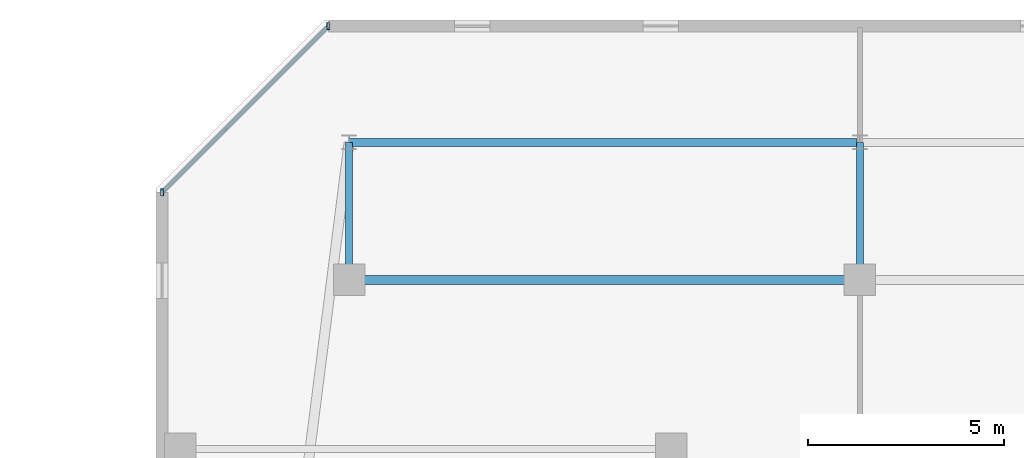
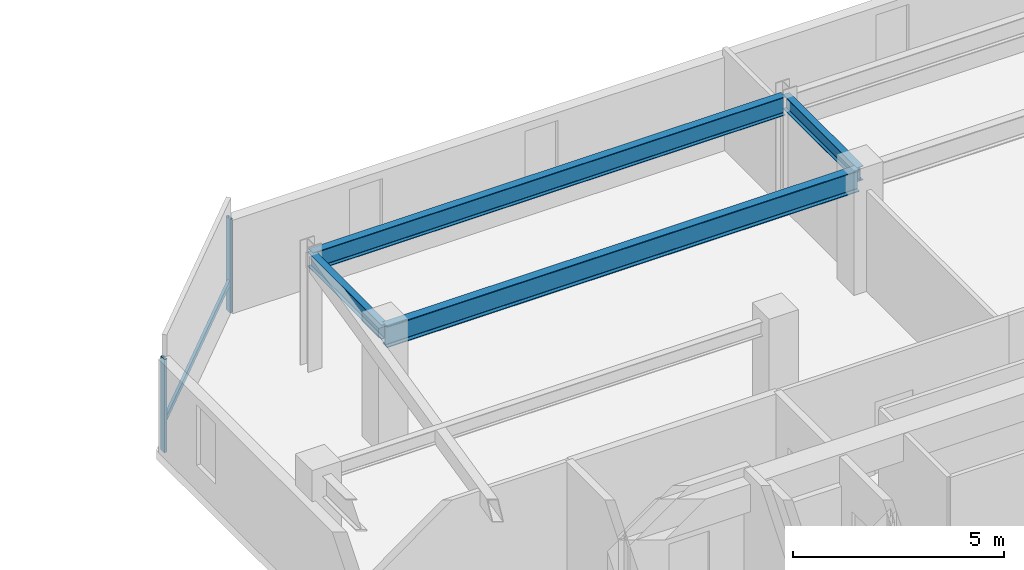
# One storey, part 14 of 31: 4 beams, 3 members, 1 element without a shape of its own.
"""IFC4 building model written with IfcOpenShell, lengths in metres."""

from ifc_helpers import new_model, si_unit, direction, frame, origin, origin_2d, place, context, subcontext, project, spatial, hollow_rectangle, i_section, extrude, material, material_profile, profile_set, type_object, element, aggregate, save


model = new_model("IFC4")

# Units and contexts
model_context = context("Model", 3, precision=1e-05, world=origin(), true_north=direction((0.0, 1.0)))
body_context = subcontext(model_context, "Body", "Model", "MODEL_VIEW")
ifc_project = project(units=[si_unit("LENGTHUNIT", "METRE"), si_unit("AREAUNIT", "SQUARE_METRE"), si_unit("VOLUMEUNIT", "CUBIC_METRE"), si_unit("PLANEANGLEUNIT", "RADIAN"), si_unit("MASSUNIT", "GRAM", prefix="KILO")], contexts=[model_context])

# Site, building, storey
site_placement = place(None, origin())
site = spatial("IfcSite", under=ifc_project, at=site_placement, CompositionType="ELEMENT")
building_placement = place(site_placement, origin())
building = spatial("IfcBuilding", under=site, at=building_placement, Name="Thornwick Lancets Civic Towers", CompositionType="ELEMENT")
storey_placement = place(building_placement, frame((0.0, 0.0, 254.699951171875)))
storey = spatial("IfcBuildingStorey", under=building, at=storey_placement, Name="L68", CompositionType="ELEMENT", Elevation=254.699951171875)

# Beams
ifc_material_1 = material(Name="Steel S355JR", Category="steel")
ifc_material_profile_1 = material_profile(ifc_material_1, i_section(OverallWidth=0.210693359375, OverallDepth=0.53955078125, WebThickness=0.01171875, FlangeThickness=0.018798828125, FilletRadius=0.0126953125, at=origin_2d()), Name="UKB 533x210x109")
ifc_profile_set_1 = profile_set([ifc_material_profile_1], Name="Steel S355JR")
beam_type_1 = type_object("IfcBeamType", Name="BM_EDGE_533_109", PredefinedType="SPANDREL", material=ifc_profile_set_1)
beam_1_placement = place(storey_placement, frame((88.419921875, 47.800048828125, 3.0703125), z_axis=(-1.0, 0.0, 0.0), x_axis=(0.0, -1.0, 0.0)))
element("IfcBeam", 1, at=beam_1_placement, inside=storey, type_object=beam_type_1, Name="BM-EDGE-L68-B-S1-2", PredefinedType="SPANDREL", context=body_context, shape_type="SweptSolid", body=[
    extrude(i_section(OverallWidth=0.210693359375, OverallDepth=0.53955078125, WebThickness=0.01171875, FlangeThickness=0.018798828125, FilletRadius=0.0126953125, at=origin_2d()), origin(), (0.0, 0.0, 1.0), 12.919921875),
])
ifc_material_profile_2 = material_profile(ifc_material_1, i_section(OverallWidth=0.230224609375, OverallDepth=0.6171875, WebThickness=0.01318359375, FlangeThickness=0.022216796875, FilletRadius=0.0126953125, at=origin_2d()), Name="UKB 610x229x140")
ifc_profile_set_2 = profile_set([ifc_material_profile_2], Name="Steel S355JR")
beam_type_2 = type_object("IfcBeamType", Name="BM_GIRD_610_140", PredefinedType="BEAM", material=ifc_profile_set_2)
beam_2_placement = place(storey_placement, frame((88.419921875, 44.300048828125, 3.031494140625), z_axis=(-1.0, 0.0, 0.0), x_axis=(0.0, -1.0, 0.0)))
element("IfcBeam", 2, at=beam_2_placement, inside=storey, type_object=beam_type_2, Name="BM-SPINE-L68-B-4-5", PredefinedType="BEAM", context=body_context, shape_type="SweptSolid", body=[
    extrude(i_section(OverallWidth=0.230224609375, OverallDepth=0.6171875, WebThickness=0.01318359375, FlangeThickness=0.022216796875, FilletRadius=0.0126953125, at=origin_2d()), origin(), (0.0, 0.0, 1.0), 12.919921875),
])
ifc_material_profile_3 = material_profile(ifc_material_1, i_section(OverallWidth=0.179443359375, OverallDepth=0.412841796875, WebThickness=0.009521484375, FlangeThickness=0.01611328125, FilletRadius=0.01025390625, at=origin_2d()), Name="UKB 406x178x74")
ifc_profile_set_3 = profile_set([ifc_material_profile_3], Name="Steel S355JR")
beam_type_3 = type_object("IfcBeamType", Name="BM_JOIST_406_74", PredefinedType="JOIST", material=ifc_profile_set_3)
for number, where, z_axis, x_axis, name in (
    (3, (88.5, 44.300048828125, 3.133544921875), (0.0, 1.0, 0.0), (-1.0, 0.0, 0.0), "BM-RAD-L68-B05"),
    (4, (75.5, 44.300048828125, 3.133544921875), (0.0, 1.0, 0.0), (-1.0, 0.0, 0.0), "BM-RAD-L68-B06"),
):
    element("IfcBeam", number, at=place(storey_placement, frame(where, z_axis=z_axis, x_axis=x_axis)), inside=storey, type_object=beam_type_3, Name=name, PredefinedType="JOIST", context=body_context, shape_type="SweptSolid", body=[
        extrude(i_section(OverallWidth=0.179443359375, OverallDepth=0.412841796875, WebThickness=0.009521484375, FlangeThickness=0.01611328125, FilletRadius=0.01025390625, at=origin_2d()), origin(), (0.0, 0.0, 1.0), 3.5),
    ])

# Curtain wall, members
ifc_material_2 = material(Name="High-zone chamfered-corner unitised glass curtain wall", Category="glass")
curtain_wall_type = type_object("IfcCurtainWallType", Name="CW_SYS_05", PredefinedType="NOTDEFINED", material=ifc_material_2)
curtain_wall_placement = place(storey_placement, origin())
curtain_wall = element("IfcCurtainWall", 5, at=curtain_wall_placement, inside=storey, type_object=curtain_wall_type, Name="L68 Curtain Wall CW-L68-B-E5", PredefinedType="NOTDEFINED")
ifc_material_3 = material(Name="Thermally broken bronze aluminium S355", Category="steel")
ifc_material_profile_4 = material_profile(ifc_material_3, hollow_rectangle(XDim=0.074951171875, YDim=0.179931640625, WallThickness=0.006103515625, at=origin_2d()), Name="RHS 180x75x6")
ifc_profile_set_4 = profile_set([ifc_material_profile_4], Name="Thermally broken bronze aluminium S355")
member_type_1 = type_object("IfcMemberType", Name="CW_MUL_180", PredefinedType="MULLION", material=ifc_profile_set_4)
member_1_placement = place(storey_placement, frame((74.97412109375, 50.75927734375, 0.0), z_axis=(0.0, 0.0, 1.0), x_axis=(1.0, 0.0, 0.0)))
member_1 = element("IfcMember", 6, at=member_1_placement, type_object=member_type_1, Name="CW-L68-B-E5 Mullion 0", PredefinedType="MULLION", context=body_context, shape_type="SweptSolid", body=[
    extrude(hollow_rectangle(XDim=0.074951171875, YDim=0.179931640625, WallThickness=0.006103515625, at=origin_2d()), origin(), (0.0, 0.0, 1.0), 2.699951171875),
])
member_2_placement = place(storey_placement, frame((70.74072265625, 46.52587890625, 0.0), z_axis=(0.0, 0.0, 1.0), x_axis=(1.0, 0.0, 0.0)))
member_2 = element("IfcMember", 7, at=member_2_placement, type_object=member_type_1, Name="CW-L68-B-E5 Mullion 1", PredefinedType="MULLION", context=body_context, shape_type="SweptSolid", body=[
    extrude(hollow_rectangle(XDim=0.074951171875, YDim=0.179931640625, WallThickness=0.006103515625, at=origin_2d()), origin(), (0.0, 0.0, 1.0), 2.699951171875),
])
ifc_material_profile_5 = material_profile(ifc_material_3, hollow_rectangle(XDim=0.074951171875, YDim=0.14990234375, WallThickness=0.0048828125, at=origin_2d()), Name="RHS 150x75x5")
ifc_profile_set_5 = profile_set([ifc_material_profile_5], Name="Thermally broken bronze aluminium S355")
member_type_2 = type_object("IfcMemberType", Name="CW_TRN_150", PredefinedType="USERDEFINED", material=ifc_profile_set_5)
member_3_placement = place(storey_placement, frame((74.9599609375, 50.7451171875, 0.85009765625), z_axis=(-0.707106781187, -0.707106781187, 0.0), x_axis=(0.707106781187, -0.707106781187, 0.0)))
member_3 = element("IfcMember", 8, at=member_3_placement, type_object=member_type_2, Name="CW-L68-B-E5 Transom 0", ObjectType="TRANSOM", PredefinedType="USERDEFINED", context=body_context, shape_type="SweptSolid", body=[
    extrude(hollow_rectangle(XDim=0.074951171875, YDim=0.14990234375, WallThickness=0.0048828125, at=origin_2d()), origin(), (0.0, 0.0, 1.0), 5.94677734375),
])
aggregate(curtain_wall, [member_1, member_2, member_3])

save(model, "model.ifc")
